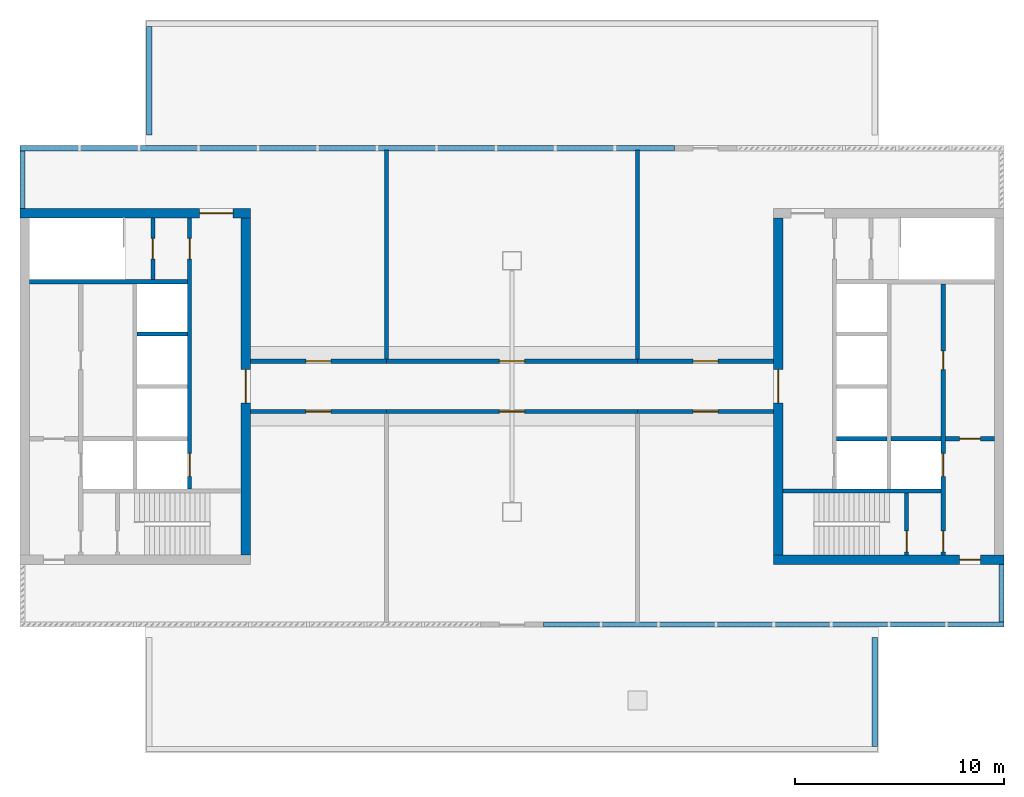
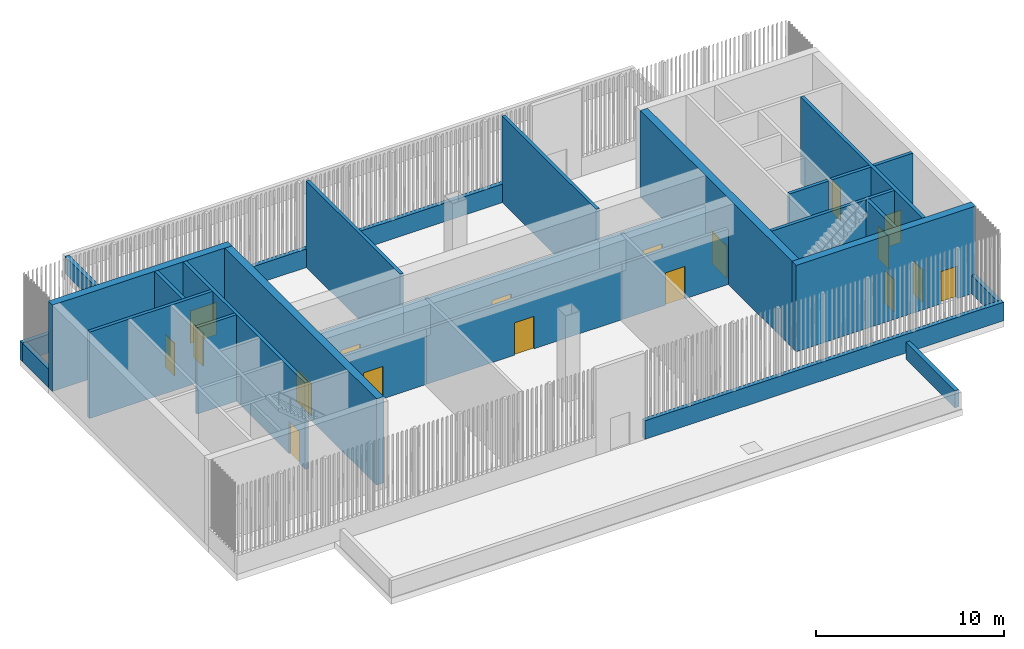
# One storey, part 2 of 9: 28 walls, 18 doors, 18 openings.
"""IFC4 building model written with IfcOpenShell, lengths in metres."""

from ifc_helpers import new_model, si_unit, direction, frame, frame_2d, origin, place, context, subcontext, project, spatial, rectangle, extrude, material, layer, layer_set, type_object, element, fill, save


model = new_model("IFC4")

# Units and contexts
model_context = context("Model", 3, precision=1e-05, world=origin(), true_north=direction((0.0, 1.0)))
body_context = subcontext(model_context, "Body", "Model", "MODEL_VIEW")
ifc_project = project(units=[si_unit("LENGTHUNIT", "METRE"), si_unit("AREAUNIT", "SQUARE_METRE"), si_unit("VOLUMEUNIT", "CUBIC_METRE"), si_unit("PLANEANGLEUNIT", "RADIAN"), si_unit("MASSUNIT", "GRAM", prefix="KILO")], contexts=[model_context])

# Site, building, storey
site_placement = place(None, origin())
site = spatial("IfcSite", under=ifc_project, at=site_placement, CompositionType="ELEMENT")
building_placement = place(site_placement, origin())
building = spatial("IfcBuilding", under=site, at=building_placement, Name="Kitamizu Gate Tower and Museum", CompositionType="ELEMENT")
storey_placement = place(building_placement, frame((0.0, 0.0, 283.35009765625)))
storey = spatial("IfcBuildingStorey", under=building, at=storey_placement, Name="L76", CompositionType="ELEMENT", Elevation=283.35009765625)

# Wall, opening, door
ifc_material_1 = material(Name="Concrete Fc42", Category="concrete")
ifc_layer_1 = layer(ifc_material_1, 0.449951171875)
ifc_layer_set_1 = layer_set([ifc_layer_1], Name="Concrete Fc42")
wall_type_1 = type_object("IfcWallType", Name="Core wall 450 EI 60", PredefinedType="SHEAR", material=ifc_layer_set_1)
wall_1_placement = place(storey_placement, frame((12.5, 38.27490234375, 0.0), z_axis=(0.0, 0.0, 1.0), x_axis=(1.0, 0.0, 0.0)))
wall_1 = element("IfcWall", 1, at=wall_1_placement, inside=storey, type_object=wall_type_1, Name="Core wall WN", PredefinedType="SHEAR", context=body_context, shape_type="SweptSolid", body=[
    extrude(rectangle(XDim=11.0, YDim=0.449951171875, at=frame_2d((5.5, 0.0))), origin(), (0.0, 0.0, 1.0), 5.599853515625),
])
opening_1_placement = place(wall_1_placement, frame((8.574951171875, 0.0, 0.0)))
opening_1 = element("IfcOpeningElement", 2, at=opening_1_placement, cuts=wall_1, Name="Opening L76-013", PredefinedType="OPENING", context=body_context, shape_type="SweptSolid", body=[
    extrude(rectangle(XDim=1.60009765625, YDim=2.10009765625, at=frame_2d((0.800048828125, 1.050048828125))), frame((0.0, 0.23486328125, 0.0), z_axis=(0.0, -1.0, 0.0), x_axis=(1.0, 0.0, 0.0)), (0.0, 0.0, 1.0), 0.469970703125),
])
ifc_material_2 = material(Name="Timber door set", Category="wood")
door_type_1 = type_object("IfcDoorType", Name="Entrance door 1600", OperationType="DOUBLE_DOOR_SINGLE_SWING", PredefinedType="DOOR", material=ifc_material_2)
door_1_placement = place(opening_1_placement, origin())
door_1 = element("IfcDoor", 3, at=door_1_placement, inside=storey, type_object=door_type_1, Name="Lobby door L76-013", OperationType="DOUBLE_DOOR_SINGLE_SWING", OverallHeight=2.10009765625, OverallWidth=1.60009765625, PredefinedType="DOOR", context=body_context, shape_type="SweptSolid", body=[
    extrude(rectangle(XDim=1.60009765625, YDim=2.10009765625, at=frame_2d((0.800048828125, 1.050048828125))), frame((0.0, 0.02490234375, 0.0), z_axis=(0.0, -1.0, 0.0), x_axis=(1.0, 0.0, 0.0)), (0.0, 0.0, 1.0), 0.050048828125),
])
fill(opening_1, door_1)

wall_2_placement = place(storey_placement, frame((23.27490234375, 21.949951171875, 0.0), z_axis=(0.0, 0.0, 1.0), x_axis=(0.0, 1.0, 0.0)))
wall_2 = element("IfcWall", 4, at=wall_2_placement, inside=storey, type_object=wall_type_1, Name="Core wall WARC", PredefinedType="SHEAR", context=body_context, shape_type="SweptSolid", body=[
    extrude(rectangle(XDim=16.10009765625, YDim=0.449951171875, at=frame_2d((8.050048828125, 0.0))), origin(), (0.0, 0.0, 1.0), 5.599853515625),
])
opening_2_placement = place(wall_2_placement, frame((7.25, 0.0, 0.0)))
opening_2 = element("IfcOpeningElement", 5, at=opening_2_placement, cuts=wall_2, Name="Opening L76-014", PredefinedType="OPENING", context=body_context, shape_type="SweptSolid", body=[
    extrude(rectangle(XDim=1.60009765625, YDim=2.10009765625, at=frame_2d((0.800048828125, 1.050048828125))), frame((0.0, 0.23486328125, 0.0), z_axis=(0.0, -1.0, 0.0), x_axis=(1.0, 0.0, 0.0)), (0.0, 0.0, 1.0), 0.469970703125),
])
door_2_placement = place(opening_2_placement, origin())
door_2 = element("IfcDoor", 6, at=door_2_placement, inside=storey, type_object=door_type_1, Name="Lobby door L76-014", OperationType="DOUBLE_DOOR_SINGLE_SWING", OverallHeight=2.10009765625, OverallWidth=1.60009765625, PredefinedType="DOOR", context=body_context, shape_type="SweptSolid", body=[
    extrude(rectangle(XDim=1.60009765625, YDim=2.10009765625, at=frame_2d((0.800048828125, 1.050048828125))), frame((0.0, 0.02490234375, 0.0), z_axis=(0.0, -1.0, 0.0), x_axis=(1.0, 0.0, 0.0)), (0.0, 0.0, 1.0), 0.050048828125),
])
fill(opening_2, door_2)

wall_3_placement = place(storey_placement, frame((59.5, 21.72509765625, 0.0), z_axis=(0.0, 0.0, 1.0), x_axis=(-1.0, 0.0, 0.0)))
wall_3 = element("IfcWall", 7, at=wall_3_placement, inside=storey, type_object=wall_type_1, Name="Core wall ES", PredefinedType="SHEAR", context=body_context, shape_type="SweptSolid", body=[
    extrude(rectangle(XDim=11.0, YDim=0.449951171875, at=frame_2d((5.5, 0.0))), origin(), (0.0, 0.0, 1.0), 5.599853515625),
])
opening_3_placement = place(wall_3_placement, frame((1.125, 0.0, 0.0)))
opening_3 = element("IfcOpeningElement", 8, at=opening_3_placement, cuts=wall_3, Name="Opening L76-021", PredefinedType="OPENING", context=body_context, shape_type="SweptSolid", body=[
    extrude(rectangle(XDim=1.0, YDim=2.10009765625, at=frame_2d((0.5, 1.050048828125))), frame((0.0, 0.23486328125, 0.0), z_axis=(0.0, -1.0, 0.0), x_axis=(1.0, 0.0, 0.0)), (0.0, 0.0, 1.0), 0.469970703125),
])
ifc_material_3 = material(Name="Hollow metal door set")
door_type_2 = type_object("IfcDoorType", Name="Fire door 1000", OperationType="NOTDEFINED", PredefinedType="DOOR", material=ifc_material_3)
door_3_placement = place(opening_3_placement, origin())
door_3 = element("IfcDoor", 9, at=door_3_placement, inside=storey, type_object=door_type_2, Name="Fire-fighting lobby door L76-021", OperationType="SINGLE_SWING_LEFT", OverallHeight=2.10009765625, OverallWidth=1.0, PredefinedType="DOOR", context=body_context, shape_type="SweptSolid", body=[
    extrude(rectangle(XDim=1.0, YDim=2.10009765625, at=frame_2d((0.5, 1.050048828125))), frame((0.0, 0.02490234375, 0.0), z_axis=(0.0, -1.0, 0.0), x_axis=(1.0, 0.0, 0.0)), (0.0, 0.0, 1.0), 0.050048828125),
])
fill(opening_3, door_3)

wall_4_placement = place(storey_placement, frame((48.72509765625, 21.949951171875, 0.0), z_axis=(0.0, 0.0, 1.0), x_axis=(0.0, 1.0, 0.0)))
wall_4 = element("IfcWall", 10, at=wall_4_placement, inside=storey, type_object=wall_type_1, Name="Core wall EARC", PredefinedType="SHEAR", context=body_context, shape_type="SweptSolid", body=[
    extrude(rectangle(XDim=16.10009765625, YDim=0.449951171875, at=frame_2d((8.050048828125, 0.0))), origin(), (0.0, 0.0, 1.0), 5.599853515625),
])
opening_4_placement = place(wall_4_placement, frame((7.25, 0.0, 0.0)))
opening_4 = element("IfcOpeningElement", 11, at=opening_4_placement, cuts=wall_4, Name="Opening L76-023", PredefinedType="OPENING", context=body_context, shape_type="SweptSolid", body=[
    extrude(rectangle(XDim=1.60009765625, YDim=2.10009765625, at=frame_2d((0.800048828125, 1.050048828125))), frame((0.0, 0.23486328125, 0.0), z_axis=(0.0, -1.0, 0.0), x_axis=(1.0, 0.0, 0.0)), (0.0, 0.0, 1.0), 0.469970703125),
])
door_4_placement = place(opening_4_placement, origin())
door_4 = element("IfcDoor", 12, at=door_4_placement, inside=storey, type_object=door_type_1, Name="Lobby door L76-023", OperationType="DOUBLE_DOOR_SINGLE_SWING", OverallHeight=2.10009765625, OverallWidth=1.60009765625, PredefinedType="DOOR", context=body_context, shape_type="SweptSolid", body=[
    extrude(rectangle(XDim=1.60009765625, YDim=2.10009765625, at=frame_2d((0.800048828125, 1.050048828125))), frame((0.0, 0.02490234375, 0.0), z_axis=(0.0, -1.0, 0.0), x_axis=(1.0, 0.0, 0.0)), (0.0, 0.0, 1.0), 0.050048828125),
])
fill(opening_4, door_4)

# Walls
ifc_material_4 = material(Name="Concrete Fc42", Category="concrete")
ifc_layer_2 = layer(ifc_material_4, 0.25)
ifc_layer_set_2 = layer_set([ifc_layer_2], Name="Concrete Fc42")
wall_type_2 = type_object("IfcWallType", Name="DRUM BASE WALL 250", PredefinedType="SOLIDWALL", material=ifc_layer_set_2)
wall_5_placement = place(storey_placement, frame((37.5, 18.625, 0.0), z_axis=(0.0, 0.0, 1.0), x_axis=(1.0, 0.0, 0.0)))
element("IfcWall", 13, at=wall_5_placement, inside=storey, type_object=wall_type_2, Name="Drum base wall SB", PredefinedType="SOLIDWALL", context=body_context, shape_type="SweptSolid", body=[
    extrude(rectangle(XDim=22.0, YDim=0.25, at=frame_2d((11.0, 0.0))), origin(), (0.0, 0.0, 1.0), 1.199951171875),
])
wall_6_placement = place(storey_placement, frame((12.5, 41.375, 0.0), z_axis=(0.0, 0.0, 1.0), x_axis=(1.0, 0.0, 0.0)))
element("IfcWall", 14, at=wall_6_placement, inside=storey, type_object=wall_type_2, Name="Drum base wall NA", PredefinedType="SOLIDWALL", context=body_context, shape_type="SweptSolid", body=[
    extrude(rectangle(XDim=31.25, YDim=0.25, at=frame_2d((15.625, 0.0))), origin(), (0.0, 0.0, 1.0), 1.199951171875),
])
for number, where, z_axis, x_axis, name in (
    (15, (12.625, 38.5, 0.0), (0.0, 0.0, 1.0), (0.0, 1.0, 0.0), "Drum base wall WN"),
    (16, (59.375, 18.75, 0.0), (0.0, 0.0, 1.0), (0.0, 1.0, 0.0), "Drum base wall ES"),
):
    element("IfcWall", number, at=place(storey_placement, frame(where, z_axis=z_axis, x_axis=x_axis)), inside=storey, type_object=wall_type_2, Name=name, PredefinedType="SOLIDWALL", context=body_context, shape_type="SweptSolid", body=[
        extrude(rectangle(XDim=2.75, YDim=0.25, at=frame_2d((1.375, 0.0))), origin(), (0.0, 0.0, 1.0), 1.199951171875),
    ])
ifc_material_5 = material(Name="Concrete Fc42", Category="concrete")
ifc_layer_3 = layer(ifc_material_5, 0.25)
ifc_layer_set_3 = layer_set([ifc_layer_3], Name="Concrete Fc42")
wall_type_3 = type_object("IfcWallType", Name="PARAPET WALL 250", PredefinedType="PARAPET", material=ifc_layer_set_3)
for number, where, z_axis, x_axis, name in (
    (17, (53.324951171875, 18.0, 0.0), (0.0, 0.0, 1.0), (0.0, -1.0, 0.0), "Roof parapet 1"),
    (18, (18.675048828125, 42.0, 0.0), (0.0, 0.0, 1.0), (0.0, 1.0, 0.0), "Roof parapet 4"),
):
    element("IfcWall", number, at=place(storey_placement, frame(where, z_axis=z_axis, x_axis=x_axis)), inside=storey, type_object=wall_type_3, Name=name, PredefinedType="PARAPET", context=body_context, shape_type="SweptSolid", body=[
        extrude(rectangle(XDim=5.199951171875, YDim=0.25, at=frame_2d((2.60009765625, 0.0))), origin(), (0.0, 0.0, 1.0), 1.099853515625),
    ])

# Wall, opening, door
ifc_material_6 = material(Name="Gypsum board on galvanised stud")
ifc_layer_4 = layer(ifc_material_6, 0.199951171875)
ifc_layer_set_4 = layer_set([ifc_layer_4], Name="Gypsum board on galvanised stud")
wall_type_4 = type_object("IfcWallType", Name="Partition 200", PredefinedType="PARTITIONING", material=ifc_layer_set_4)
wall_7_placement = place(storey_placement, frame((23.5, 28.800048828125, 0.0), z_axis=(0.0, 0.0, 1.0), x_axis=(1.0, 0.0, 0.0)))
wall_7 = element("IfcWall", 19, at=wall_7_placement, inside=storey, type_object=wall_type_4, Name="Partition L76-001", PredefinedType="PARTITIONING", context=body_context, shape_type="SweptSolid", body=[
    extrude(rectangle(XDim=6.5, YDim=0.199951171875, at=frame_2d((3.25, 0.0))), origin(), (0.0, 0.0, 1.0), 3.599853515625),
])
opening_5_placement = place(wall_7_placement, frame((2.64990234375, 0.0, 0.0)))
opening_5 = element("IfcOpeningElement", 20, at=opening_5_placement, cuts=wall_7, Name="Opening L76-001", PredefinedType="OPENING", context=body_context, shape_type="SweptSolid", body=[
    extrude(rectangle(XDim=1.199951171875, YDim=2.10009765625, at=frame_2d((0.60009765625, 1.050048828125))), frame((0.0, 0.10986328125, 0.0), z_axis=(0.0, -1.0, 0.0), x_axis=(1.0, 0.0, 0.0)), (0.0, 0.0, 1.0), 0.219970703125),
])
ifc_material_7 = material(Name="Timber door set", Category="wood")
door_type_3 = type_object("IfcDoorType", Name="Plant room door 1200", OperationType="DOUBLE_DOOR_SINGLE_SWING", PredefinedType="DOOR", material=ifc_material_7)
door_5_placement = place(opening_5_placement, origin())
door_5 = element("IfcDoor", 21, at=door_5_placement, inside=storey, type_object=door_type_3, Name="Plant room door L76-001", OperationType="DOUBLE_DOOR_SINGLE_SWING", OverallHeight=2.10009765625, OverallWidth=1.199951171875, PredefinedType="DOOR", context=body_context, shape_type="SweptSolid", body=[
    extrude(rectangle(XDim=1.199951171875, YDim=2.10009765625, at=frame_2d((0.60009765625, 1.050048828125))), frame((0.0, 0.02490234375, 0.0), z_axis=(0.0, -1.0, 0.0), x_axis=(1.0, 0.0, 0.0)), (0.0, 0.0, 1.0), 0.050048828125),
])
fill(opening_5, door_5)

wall_8_placement = place(storey_placement, frame((30.0, 28.800048828125, 0.0), z_axis=(0.0, 0.0, 1.0), x_axis=(1.0, 0.0, 0.0)))
wall_8 = element("IfcWall", 22, at=wall_8_placement, inside=storey, type_object=wall_type_4, Name="Partition L76-002", PredefinedType="PARTITIONING", context=body_context, shape_type="SweptSolid", body=[
    extrude(rectangle(XDim=12.0, YDim=0.199951171875, at=frame_2d((6.0, 0.0))), origin(), (0.0, 0.0, 1.0), 3.599853515625),
])
opening_6_placement = place(wall_8_placement, frame((5.39990234375, 0.0, 0.0)))
opening_6 = element("IfcOpeningElement", 23, at=opening_6_placement, cuts=wall_8, Name="Opening L76-002", PredefinedType="OPENING", context=body_context, shape_type="SweptSolid", body=[
    extrude(rectangle(XDim=1.199951171875, YDim=2.10009765625, at=frame_2d((0.60009765625, 1.050048828125))), frame((0.0, 0.10986328125, 0.0), z_axis=(0.0, -1.0, 0.0), x_axis=(1.0, 0.0, 0.0)), (0.0, 0.0, 1.0), 0.219970703125),
])
door_6_placement = place(opening_6_placement, origin())
door_6 = element("IfcDoor", 24, at=door_6_placement, inside=storey, type_object=door_type_3, Name="Plant room door L76-002", OperationType="DOUBLE_DOOR_SINGLE_SWING", OverallHeight=2.10009765625, OverallWidth=1.199951171875, PredefinedType="DOOR", context=body_context, shape_type="SweptSolid", body=[
    extrude(rectangle(XDim=1.199951171875, YDim=2.10009765625, at=frame_2d((0.60009765625, 1.050048828125))), frame((0.0, 0.02490234375, 0.0), z_axis=(0.0, -1.0, 0.0), x_axis=(1.0, 0.0, 0.0)), (0.0, 0.0, 1.0), 0.050048828125),
])
fill(opening_6, door_6)

wall_9_placement = place(storey_placement, frame((42.0, 28.800048828125, 0.0), z_axis=(0.0, 0.0, 1.0), x_axis=(1.0, 0.0, 0.0)))
wall_9 = element("IfcWall", 25, at=wall_9_placement, inside=storey, type_object=wall_type_4, Name="Partition L76-003", PredefinedType="PARTITIONING", context=body_context, shape_type="SweptSolid", body=[
    extrude(rectangle(XDim=6.5, YDim=0.199951171875, at=frame_2d((3.25, 0.0))), origin(), (0.0, 0.0, 1.0), 3.599853515625),
])
opening_7_placement = place(wall_9_placement, frame((2.64990234375, 0.0, 0.0)))
opening_7 = element("IfcOpeningElement", 26, at=opening_7_placement, cuts=wall_9, Name="Opening L76-003", PredefinedType="OPENING", context=body_context, shape_type="SweptSolid", body=[
    extrude(rectangle(XDim=1.199951171875, YDim=2.10009765625, at=frame_2d((0.60009765625, 1.050048828125))), frame((0.0, 0.10986328125, 0.0), z_axis=(0.0, -1.0, 0.0), x_axis=(1.0, 0.0, 0.0)), (0.0, 0.0, 1.0), 0.219970703125),
])
door_7_placement = place(opening_7_placement, origin())
door_7 = element("IfcDoor", 27, at=door_7_placement, inside=storey, type_object=door_type_3, Name="Plant room door L76-003", OperationType="DOUBLE_DOOR_SINGLE_SWING", OverallHeight=2.10009765625, OverallWidth=1.199951171875, PredefinedType="DOOR", context=body_context, shape_type="SweptSolid", body=[
    extrude(rectangle(XDim=1.199951171875, YDim=2.10009765625, at=frame_2d((0.60009765625, 1.050048828125))), frame((0.0, 0.02490234375, 0.0), z_axis=(0.0, -1.0, 0.0), x_axis=(1.0, 0.0, 0.0)), (0.0, 0.0, 1.0), 0.050048828125),
])
fill(opening_7, door_7)

wall_10_placement = place(storey_placement, frame((30.0, 31.199951171875, 0.0), z_axis=(0.0, 0.0, 1.0), x_axis=(-1.0, 0.0, 0.0)))
wall_10 = element("IfcWall", 28, at=wall_10_placement, inside=storey, type_object=wall_type_4, Name="Partition L76-004", PredefinedType="PARTITIONING", context=body_context, shape_type="SweptSolid", body=[
    extrude(rectangle(XDim=6.5, YDim=0.199951171875, at=frame_2d((3.25, 0.0))), origin(), (0.0, 0.0, 1.0), 3.599853515625),
])
opening_8_placement = place(wall_10_placement, frame((2.64990234375, 0.0, 0.0)))
opening_8 = element("IfcOpeningElement", 29, at=opening_8_placement, cuts=wall_10, Name="Opening L76-004", PredefinedType="OPENING", context=body_context, shape_type="SweptSolid", body=[
    extrude(rectangle(XDim=1.199951171875, YDim=2.10009765625, at=frame_2d((0.60009765625, 1.050048828125))), frame((0.0, 0.10986328125, 0.0), z_axis=(0.0, -1.0, 0.0), x_axis=(1.0, 0.0, 0.0)), (0.0, 0.0, 1.0), 0.219970703125),
])
door_8_placement = place(opening_8_placement, origin())
door_8 = element("IfcDoor", 30, at=door_8_placement, inside=storey, type_object=door_type_3, Name="Plant room door L76-004", OperationType="DOUBLE_DOOR_SINGLE_SWING", OverallHeight=2.10009765625, OverallWidth=1.199951171875, PredefinedType="DOOR", context=body_context, shape_type="SweptSolid", body=[
    extrude(rectangle(XDim=1.199951171875, YDim=2.10009765625, at=frame_2d((0.60009765625, 1.050048828125))), frame((0.0, 0.02490234375, 0.0), z_axis=(0.0, -1.0, 0.0), x_axis=(1.0, 0.0, 0.0)), (0.0, 0.0, 1.0), 0.050048828125),
])
fill(opening_8, door_8)

wall_11_placement = place(storey_placement, frame((42.0, 31.199951171875, 0.0), z_axis=(0.0, 0.0, 1.0), x_axis=(-1.0, 0.0, 0.0)))
wall_11 = element("IfcWall", 31, at=wall_11_placement, inside=storey, type_object=wall_type_4, Name="Partition L76-005", PredefinedType="PARTITIONING", context=body_context, shape_type="SweptSolid", body=[
    extrude(rectangle(XDim=12.0, YDim=0.199951171875, at=frame_2d((6.0, 0.0))), origin(), (0.0, 0.0, 1.0), 3.599853515625),
])
opening_9_placement = place(wall_11_placement, frame((5.39990234375, 0.0, 0.0)))
opening_9 = element("IfcOpeningElement", 32, at=opening_9_placement, cuts=wall_11, Name="Opening L76-005", PredefinedType="OPENING", context=body_context, shape_type="SweptSolid", body=[
    extrude(rectangle(XDim=1.199951171875, YDim=2.10009765625, at=frame_2d((0.60009765625, 1.050048828125))), frame((0.0, 0.10986328125, 0.0), z_axis=(0.0, -1.0, 0.0), x_axis=(1.0, 0.0, 0.0)), (0.0, 0.0, 1.0), 0.219970703125),
])
door_9_placement = place(opening_9_placement, origin())
door_9 = element("IfcDoor", 33, at=door_9_placement, inside=storey, type_object=door_type_3, Name="Plant room door L76-005", OperationType="DOUBLE_DOOR_SINGLE_SWING", OverallHeight=2.10009765625, OverallWidth=1.199951171875, PredefinedType="DOOR", context=body_context, shape_type="SweptSolid", body=[
    extrude(rectangle(XDim=1.199951171875, YDim=2.10009765625, at=frame_2d((0.60009765625, 1.050048828125))), frame((0.0, 0.02490234375, 0.0), z_axis=(0.0, -1.0, 0.0), x_axis=(1.0, 0.0, 0.0)), (0.0, 0.0, 1.0), 0.050048828125),
])
fill(opening_9, door_9)

wall_12_placement = place(storey_placement, frame((48.5, 31.199951171875, 0.0), z_axis=(0.0, 0.0, 1.0), x_axis=(-1.0, 0.0, 0.0)))
wall_12 = element("IfcWall", 34, at=wall_12_placement, inside=storey, type_object=wall_type_4, Name="Partition L76-006", PredefinedType="PARTITIONING", context=body_context, shape_type="SweptSolid", body=[
    extrude(rectangle(XDim=6.5, YDim=0.199951171875, at=frame_2d((3.25, 0.0))), origin(), (0.0, 0.0, 1.0), 3.599853515625),
])
opening_10_placement = place(wall_12_placement, frame((2.64990234375, 0.0, 0.0)))
opening_10 = element("IfcOpeningElement", 35, at=opening_10_placement, cuts=wall_12, Name="Opening L76-006", PredefinedType="OPENING", context=body_context, shape_type="SweptSolid", body=[
    extrude(rectangle(XDim=1.199951171875, YDim=2.10009765625, at=frame_2d((0.60009765625, 1.050048828125))), frame((0.0, 0.10986328125, 0.0), z_axis=(0.0, -1.0, 0.0), x_axis=(1.0, 0.0, 0.0)), (0.0, 0.0, 1.0), 0.219970703125),
])
door_10_placement = place(opening_10_placement, origin())
door_10 = element("IfcDoor", 36, at=door_10_placement, inside=storey, type_object=door_type_3, Name="Plant room door L76-006", OperationType="DOUBLE_DOOR_SINGLE_SWING", OverallHeight=2.10009765625, OverallWidth=1.199951171875, PredefinedType="DOOR", context=body_context, shape_type="SweptSolid", body=[
    extrude(rectangle(XDim=1.199951171875, YDim=2.10009765625, at=frame_2d((0.60009765625, 1.050048828125))), frame((0.0, 0.02490234375, 0.0), z_axis=(0.0, -1.0, 0.0), x_axis=(1.0, 0.0, 0.0)), (0.0, 0.0, 1.0), 0.050048828125),
])
fill(opening_10, door_10)

# Walls
for number, where, z_axis, x_axis, name in (
    (37, (30.0, 31.300048828125, 0.0), (0.0, 0.0, 1.0), (0.0, 1.0, 0.0), "Partition L76-009"),
    (38, (42.0, 31.300048828125, 0.0), (0.0, 0.0, 1.0), (0.0, 1.0, 0.0), "Partition L76-010"),
):
    element("IfcWall", number, at=place(storey_placement, frame(where, z_axis=z_axis, x_axis=x_axis)), inside=storey, type_object=wall_type_4, Name=name, PredefinedType="PARTITIONING", context=body_context, shape_type="SweptSolid", body=[
        extrude(rectangle(XDim=9.97998046875, YDim=0.199951171875, at=frame_2d((4.989990234375, 0.0))), origin(), (0.0, 0.0, 1.0), 5.599853515625),
    ])

# Wall, openings, doors
ifc_material_8 = material(Name="Concrete Fc42", Category="concrete")
ifc_layer_5 = layer(ifc_material_8, 0.199951171875)
ifc_layer_set_5 = layer_set([ifc_layer_5], Name="Concrete Fc42")
wall_type_5 = type_object("IfcWallType", Name="Shaft wall 200", PredefinedType="SOLIDWALL", material=ifc_layer_set_5)
wall_13_placement = place(storey_placement, frame((20.60009765625, 25.10009765625, 0.0), z_axis=(0.0, 0.0, 1.0), x_axis=(0.0, 1.0, 0.0)))
wall_13 = element("IfcWall", 39, at=wall_13_placement, inside=storey, type_object=wall_type_5, Name="Shaft wall WEAST", PredefinedType="SOLIDWALL", context=body_context, shape_type="SweptSolid", body=[
    extrude(rectangle(XDim=12.949951171875, YDim=0.199951171875, at=frame_2d((6.47509765625, 0.0))), origin(), (0.0, 0.0, 1.0), 5.599853515625),
])
opening_11_placement = place(wall_13_placement, frame((0.60009765625, 0.0, 0.0)))
opening_11 = element("IfcOpeningElement", 40, at=opening_11_placement, cuts=wall_13, Name="Opening LD", PredefinedType="OPENING", context=body_context, shape_type="SweptSolid", body=[
    extrude(rectangle(XDim=1.10009765625, YDim=2.10009765625, at=frame_2d((0.550048828125, 1.050048828125))), frame((0.0, 0.10986328125, 0.0), z_axis=(0.0, -1.0, 0.0), x_axis=(1.0, 0.0, 0.0)), (0.0, 0.0, 1.0), 0.219970703125),
])
opening_12_placement = place(wall_13_placement, frame((10.97509765625, 0.0, 0.0)))
opening_12 = element("IfcOpeningElement", 41, at=opening_12_placement, cuts=wall_13, Name="Opening L76-009", PredefinedType="OPENING", context=body_context, shape_type="SweptSolid", body=[
    extrude(rectangle(XDim=1.0, YDim=2.10009765625, at=frame_2d((0.5, 1.050048828125))), frame((0.0, 0.10986328125, 0.0), z_axis=(0.0, -1.0, 0.0), x_axis=(1.0, 0.0, 0.0)), (0.0, 0.0, 1.0), 0.219970703125),
])
door_11_placement = place(opening_12_placement, origin())
door_11 = element("IfcDoor", 42, at=door_11_placement, inside=storey, type_object=door_type_2, Name="Stair lobby door L76-009", OperationType="SINGLE_SWING_RIGHT", OverallHeight=2.10009765625, OverallWidth=1.0, PredefinedType="DOOR", context=body_context, shape_type="SweptSolid", body=[
    extrude(rectangle(XDim=1.0, YDim=2.10009765625, at=frame_2d((0.5, 1.050048828125))), frame((0.0, 0.02490234375, 0.0), z_axis=(0.0, -1.0, 0.0), x_axis=(1.0, 0.0, 0.0)), (0.0, 0.0, 1.0), 0.050048828125),
])
fill(opening_12, door_11)
ifc_material_9 = material(Name="Hollow metal door set")
door_type_4 = type_object("IfcDoorType", Name="Landing door 1100", OperationType="SLIDING_TO_LEFT", PredefinedType="DOOR", material=ifc_material_9)
door_12_placement = place(opening_11_placement, origin())
door_12 = element("IfcDoor", 43, at=door_12_placement, inside=storey, type_object=door_type_4, Name="Landing door WSV1", OperationType="SLIDING_TO_LEFT", OverallHeight=2.10009765625, OverallWidth=1.10009765625, PredefinedType="DOOR", context=body_context, shape_type="SweptSolid", body=[
    extrude(rectangle(XDim=1.10009765625, YDim=2.10009765625, at=frame_2d((0.550048828125, 1.050048828125))), frame((0.0, 0.02490234375, 0.0), z_axis=(0.0, -1.0, 0.0), x_axis=(1.0, 0.0, 0.0)), (0.0, 0.0, 1.0), 0.050048828125),
])
fill(opening_11, door_12)

# Wall
wall_14_placement = place(storey_placement, frame((12.949951171875, 35.0, 0.0), z_axis=(0.0, 0.0, 1.0), x_axis=(1.0, 0.0, 0.0)))
element("IfcWall", 44, at=wall_14_placement, inside=storey, type_object=wall_type_5, Name="Shaft wall WNB", PredefinedType="SOLIDWALL", context=body_context, shape_type="SweptSolid", body=[
    extrude(rectangle(XDim=7.550048828125, YDim=0.199951171875, at=frame_2d((3.77490234375, 0.0))), origin(), (0.0, 0.0, 1.0), 5.599853515625),
])

# Wall, opening, door
wall_15_placement = place(storey_placement, frame((18.85009765625, 35.10009765625, 0.0), z_axis=(0.0, 0.0, 1.0), x_axis=(0.0, 1.0, 0.0)))
wall_15 = element("IfcWall", 45, at=wall_15_placement, inside=storey, type_object=wall_type_5, Name="Shaft wall WNZ", PredefinedType="SOLIDWALL", context=body_context, shape_type="SweptSolid", body=[
    extrude(rectangle(XDim=2.949951171875, YDim=0.199951171875, at=frame_2d((1.47509765625, 0.0))), origin(), (0.0, 0.0, 1.0), 5.599853515625),
])
opening_13_placement = place(wall_15_placement, frame((0.97509765625, 0.0, 0.0)))
opening_13 = element("IfcOpeningElement", 46, at=opening_13_placement, cuts=wall_15, Name="Opening L76-010", PredefinedType="OPENING", context=body_context, shape_type="SweptSolid", body=[
    extrude(rectangle(XDim=1.0, YDim=2.10009765625, at=frame_2d((0.5, 1.050048828125))), frame((0.0, 0.10986328125, 0.0), z_axis=(0.0, -1.0, 0.0), x_axis=(1.0, 0.0, 0.0)), (0.0, 0.0, 1.0), 0.219970703125),
])
door_13_placement = place(opening_13_placement, origin())
door_13 = element("IfcDoor", 47, at=door_13_placement, inside=storey, type_object=door_type_2, Name="Stair door L76-010", OperationType="SINGLE_SWING_LEFT", OverallHeight=2.10009765625, OverallWidth=1.0, PredefinedType="DOOR", context=body_context, shape_type="SweptSolid", body=[
    extrude(rectangle(XDim=1.0, YDim=2.10009765625, at=frame_2d((0.5, 1.050048828125))), frame((0.0, 0.02490234375, 0.0), z_axis=(0.0, -1.0, 0.0), x_axis=(1.0, 0.0, 0.0)), (0.0, 0.0, 1.0), 0.050048828125),
])
fill(opening_13, door_13)

# Wall
wall_16_placement = place(storey_placement, frame((18.10009765625, 32.5, 0.0), z_axis=(0.0, 0.0, 1.0), x_axis=(1.0, 0.0, 0.0)))
element("IfcWall", 48, at=wall_16_placement, inside=storey, type_object=wall_type_5, Name="Shaft wall WDVE2", PredefinedType="SOLIDWALL", context=body_context, shape_type="SweptSolid", body=[
    extrude(rectangle(XDim=2.39990234375, YDim=0.199951171875, at=frame_2d((1.199951171875, 0.0))), origin(), (0.0, 0.0, 1.0), 5.599853515625),
])

# Wall, openings, doors
wall_17_placement = place(storey_placement, frame((56.60009765625, 21.949951171875, 0.0), z_axis=(0.0, 0.0, 1.0), x_axis=(0.0, 1.0, 0.0)))
wall_17 = element("IfcWall", 49, at=wall_17_placement, inside=storey, type_object=wall_type_5, Name="Shaft wall EWEST", PredefinedType="SOLIDWALL", context=body_context, shape_type="SweptSolid", body=[
    extrude(rectangle(XDim=12.949951171875, YDim=0.199951171875, at=frame_2d((6.47509765625, 0.0))), origin(), (0.0, 0.0, 1.0), 5.599853515625),
])
opening_14_placement = place(wall_17_placement, frame((3.75, 0.0, 0.0)))
opening_14 = element("IfcOpeningElement", 50, at=opening_14_placement, cuts=wall_17, Name="Opening LD", PredefinedType="OPENING", context=body_context, shape_type="SweptSolid", body=[
    extrude(rectangle(XDim=1.10009765625, YDim=2.10009765625, at=frame_2d((0.550048828125, 1.050048828125))), frame((0.0, 0.10986328125, 0.0), z_axis=(0.0, -1.0, 0.0), x_axis=(1.0, 0.0, 0.0)), (0.0, 0.0, 1.0), 0.219970703125),
])
opening_15_placement = place(wall_17_placement, frame((0.14990234375, 0.0, 0.0)))
opening_15 = element("IfcOpeningElement", 51, at=opening_15_placement, cuts=wall_17, Name="Opening L76-017", PredefinedType="OPENING", context=body_context, shape_type="SweptSolid", body=[
    extrude(rectangle(XDim=1.0, YDim=2.10009765625, at=frame_2d((0.5, 1.050048828125))), frame((0.0, 0.10986328125, 0.0), z_axis=(0.0, -1.0, 0.0), x_axis=(1.0, 0.0, 0.0)), (0.0, 0.0, 1.0), 0.219970703125),
])
opening_16_placement = place(wall_17_placement, frame((8.85009765625, 0.0, 0.0)))
opening_16 = element("IfcOpeningElement", 52, at=opening_16_placement, cuts=wall_17, Name="Opening L76-024", PredefinedType="OPENING", context=body_context, shape_type="SweptSolid", body=[
    extrude(rectangle(XDim=0.89990234375, YDim=2.10009765625, at=frame_2d((0.449951171875, 1.050048828125))), frame((0.0, 0.10986328125, 0.0), z_axis=(0.0, -1.0, 0.0), x_axis=(1.0, 0.0, 0.0)), (0.0, 0.0, 1.0), 0.219970703125),
])
door_14_placement = place(opening_15_placement, origin())
door_14 = element("IfcDoor", 53, at=door_14_placement, inside=storey, type_object=door_type_2, Name="Stair lobby door L76-017", OperationType="SINGLE_SWING_RIGHT", OverallHeight=2.10009765625, OverallWidth=1.0, PredefinedType="DOOR", context=body_context, shape_type="SweptSolid", body=[
    extrude(rectangle(XDim=1.0, YDim=2.10009765625, at=frame_2d((0.5, 1.050048828125))), frame((0.0, 0.02490234375, 0.0), z_axis=(0.0, -1.0, 0.0), x_axis=(1.0, 0.0, 0.0)), (0.0, 0.0, 1.0), 0.050048828125),
])
fill(opening_15, door_14)
door_15_placement = place(opening_14_placement, origin())
door_15 = element("IfcDoor", 54, at=door_15_placement, inside=storey, type_object=door_type_4, Name="Landing door EFF1", OperationType="SLIDING_TO_LEFT", OverallHeight=2.10009765625, OverallWidth=1.10009765625, PredefinedType="DOOR", context=body_context, shape_type="SweptSolid", body=[
    extrude(rectangle(XDim=1.10009765625, YDim=2.10009765625, at=frame_2d((0.550048828125, 1.050048828125))), frame((0.0, 0.02490234375, 0.0), z_axis=(0.0, -1.0, 0.0), x_axis=(1.0, 0.0, 0.0)), (0.0, 0.0, 1.0), 0.050048828125),
])
fill(opening_14, door_15)
ifc_material_10 = material(Name="Timber door set", Category="wood")
door_type_5 = type_object("IfcDoorType", Name="Service door 900", OperationType="NOTDEFINED", PredefinedType="DOOR", material=ifc_material_10)
door_16_placement = place(opening_16_placement, origin())
door_16 = element("IfcDoor", 55, at=door_16_placement, inside=storey, type_object=door_type_5, Name="Service door L76-024", OperationType="SINGLE_SWING_RIGHT", OverallHeight=2.10009765625, OverallWidth=0.89990234375, PredefinedType="DOOR", context=body_context, shape_type="SweptSolid", body=[
    extrude(rectangle(XDim=0.89990234375, YDim=2.10009765625, at=frame_2d((0.449951171875, 1.050048828125))), frame((0.0, 0.02490234375, 0.0), z_axis=(0.0, -1.0, 0.0), x_axis=(1.0, 0.0, 0.0)), (0.0, 0.0, 1.0), 0.050048828125),
])
fill(opening_16, door_16)

# Wall
wall_18_placement = place(storey_placement, frame((56.5, 25.0, 0.0), z_axis=(0.0, 0.0, 1.0), x_axis=(-1.0, 0.0, 0.0)))
element("IfcWall", 56, at=wall_18_placement, inside=storey, type_object=wall_type_5, Name="Shaft wall ESB", PredefinedType="SOLIDWALL", context=body_context, shape_type="SweptSolid", body=[
    extrude(rectangle(XDim=7.550048828125, YDim=0.199951171875, at=frame_2d((3.77490234375, 0.0))), origin(), (0.0, 0.0, 1.0), 5.599853515625),
])

# Wall, opening, door
wall_19_placement = place(storey_placement, frame((59.050048828125, 27.5, 0.0), z_axis=(0.0, 0.0, 1.0), x_axis=(-1.0, 0.0, 0.0)))
wall_19 = element("IfcWall", 57, at=wall_19_placement, inside=storey, type_object=wall_type_5, Name="Shaft wall EFFN", PredefinedType="SOLIDWALL", context=body_context, shape_type="SweptSolid", body=[
    extrude(rectangle(XDim=2.35009765625, YDim=0.199951171875, at=frame_2d((1.175048828125, 0.0))), origin(), (0.0, 0.0, 1.0), 5.599853515625),
])
opening_17_placement = place(wall_19_placement, frame((0.675048828125, 0.0, 0.0)))
opening_17 = element("IfcOpeningElement", 58, at=opening_17_placement, cuts=wall_19, Name="Opening L76-020", PredefinedType="OPENING", context=body_context, shape_type="SweptSolid", body=[
    extrude(rectangle(XDim=1.0, YDim=2.10009765625, at=frame_2d((0.5, 1.050048828125))), frame((0.0, 0.10986328125, 0.0), z_axis=(0.0, -1.0, 0.0), x_axis=(1.0, 0.0, 0.0)), (0.0, 0.0, 1.0), 0.219970703125),
])
door_17_placement = place(opening_17_placement, origin())
door_17 = element("IfcDoor", 59, at=door_17_placement, inside=storey, type_object=door_type_2, Name="Fire-fighting lobby door L76-020", OperationType="SINGLE_SWING_RIGHT", OverallHeight=2.10009765625, OverallWidth=1.0, PredefinedType="DOOR", context=body_context, shape_type="SweptSolid", body=[
    extrude(rectangle(XDim=1.0, YDim=2.10009765625, at=frame_2d((0.5, 1.050048828125))), frame((0.0, 0.02490234375, 0.0), z_axis=(0.0, -1.0, 0.0), x_axis=(1.0, 0.0, 0.0)), (0.0, 0.0, 1.0), 0.050048828125),
])
fill(opening_17, door_17)

wall_20_placement = place(storey_placement, frame((54.85009765625, 21.949951171875, 0.0), z_axis=(0.0, 0.0, 1.0), x_axis=(0.0, 1.0, 0.0)))
wall_20 = element("IfcWall", 60, at=wall_20_placement, inside=storey, type_object=wall_type_5, Name="Shaft wall ESZ", PredefinedType="SOLIDWALL", context=body_context, shape_type="SweptSolid", body=[
    extrude(rectangle(XDim=2.949951171875, YDim=0.199951171875, at=frame_2d((1.47509765625, 0.0))), origin(), (0.0, 0.0, 1.0), 5.599853515625),
])
opening_18_placement = place(wall_20_placement, frame((0.14990234375, 0.0, 0.0)))
opening_18 = element("IfcOpeningElement", 61, at=opening_18_placement, cuts=wall_20, Name="Opening L76-016", PredefinedType="OPENING", context=body_context, shape_type="SweptSolid", body=[
    extrude(rectangle(XDim=1.0, YDim=2.10009765625, at=frame_2d((0.5, 1.050048828125))), frame((0.0, 0.10986328125, 0.0), z_axis=(0.0, -1.0, 0.0), x_axis=(1.0, 0.0, 0.0)), (0.0, 0.0, 1.0), 0.219970703125),
])
door_18_placement = place(opening_18_placement, origin())
door_18 = element("IfcDoor", 62, at=door_18_placement, inside=storey, type_object=door_type_2, Name="Stair door L76-016", OperationType="SINGLE_SWING_RIGHT", OverallHeight=2.10009765625, OverallWidth=1.0, PredefinedType="DOOR", context=body_context, shape_type="SweptSolid", body=[
    extrude(rectangle(XDim=1.0, YDim=2.10009765625, at=frame_2d((0.5, 1.050048828125))), frame((0.0, 0.02490234375, 0.0), z_axis=(0.0, -1.0, 0.0), x_axis=(1.0, 0.0, 0.0)), (0.0, 0.0, 1.0), 0.050048828125),
])
fill(opening_18, door_18)

# Walls
for number, where, z_axis, x_axis, name in (
    (63, (56.5, 27.5, 0.0), (0.0, 0.0, 1.0), (-1.0, 0.0, 0.0), "Shaft wall EDVW0"),
    (64, (53.89990234375, 27.5, 0.0), (0.0, 0.0, 1.0), (-1.0, 0.0, 0.0), "Shaft wall EDVE0"),
):
    element("IfcWall", number, at=place(storey_placement, frame(where, z_axis=z_axis, x_axis=x_axis)), inside=storey, type_object=wall_type_5, Name=name, PredefinedType="SOLIDWALL", context=body_context, shape_type="SweptSolid", body=[
        extrude(rectangle(XDim=2.39990234375, YDim=0.199951171875, at=frame_2d((1.199951171875, 0.0))), origin(), (0.0, 0.0, 1.0), 5.599853515625),
    ])

save(model, "model.ifc")
